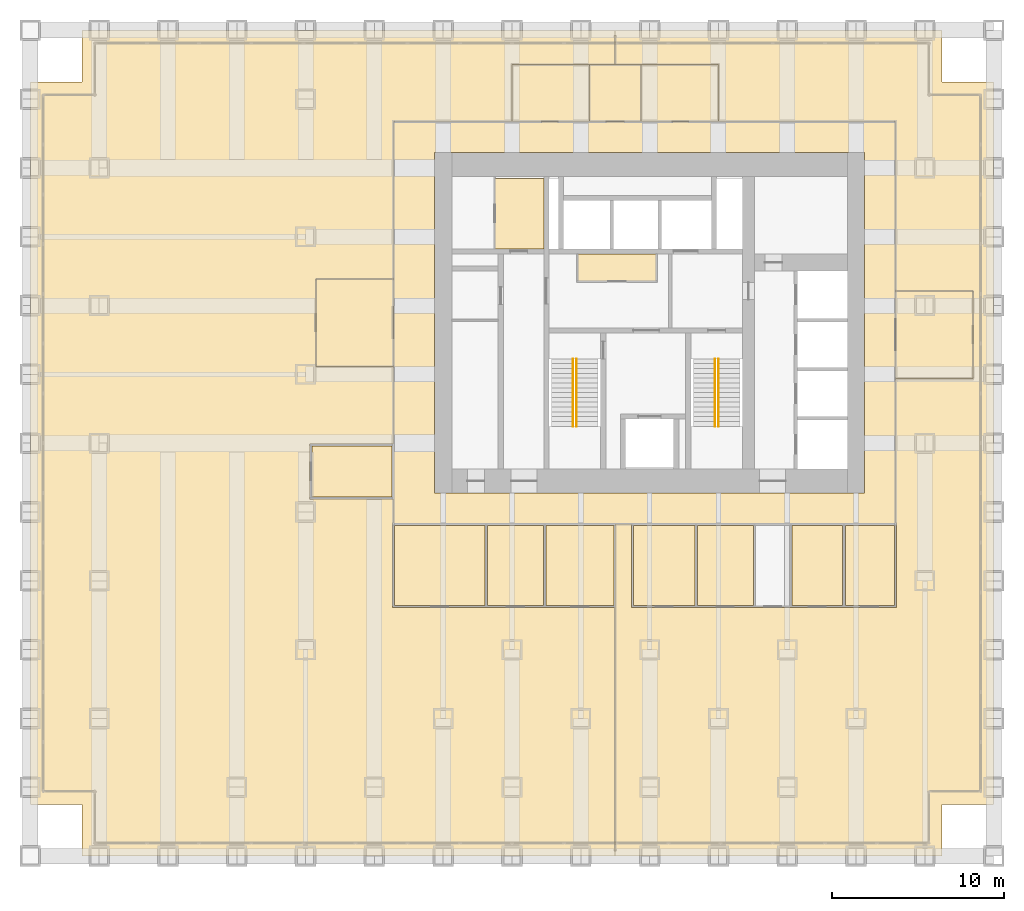
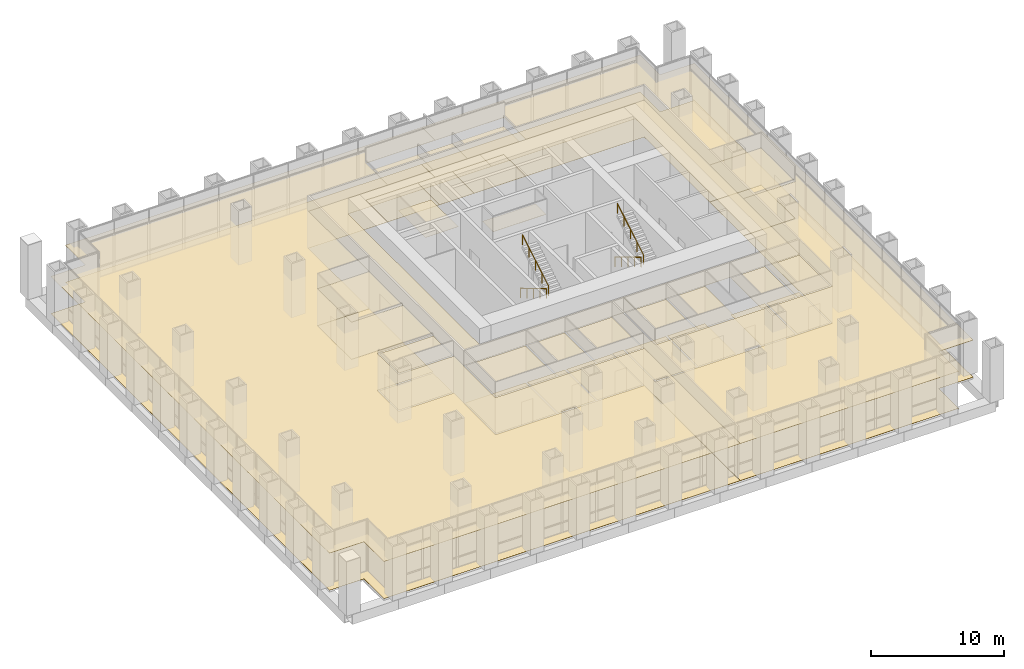
# One storey, part 18 of 18: 34 coverings, 4 railings.
"""IFC4 building model written with IfcOpenShell, lengths in metres."""

from ifc_helpers import new_model, si_unit, direction, frame, origin, origin_2d, place, context, subcontext, project, spatial, polyline, circle, outline, extrude, material, layer, layer_set, type_object, element, save


model = new_model("IFC4")

# Units and contexts
model_context = context("Model", 3, precision=1e-05, world=origin(), true_north=direction((0.0, 1.0)))
body_context = subcontext(model_context, "Body", "Model", "MODEL_VIEW")
ifc_project = project(units=[si_unit("LENGTHUNIT", "METRE"), si_unit("AREAUNIT", "SQUARE_METRE"), si_unit("VOLUMEUNIT", "CUBIC_METRE"), si_unit("PLANEANGLEUNIT", "RADIAN"), si_unit("MASSUNIT", "GRAM", prefix="KILO")], contexts=[model_context])

# Site, building, storey
site_placement = place(None, origin())
site = spatial("IfcSite", under=ifc_project, at=site_placement, CompositionType="ELEMENT")
building_placement = place(site_placement, origin())
building = spatial("IfcBuilding", under=site, at=building_placement, Name="Rimbunsela Tower", CompositionType="ELEMENT")
storey_placement = place(building_placement, frame((0.0, 0.0, 6.0)))
storey = spatial("IfcBuildingStorey", under=building, at=storey_placement, Name="L01", CompositionType="ELEMENT", Elevation=6.0)

# Coverings
ifc_material_1 = material(Name="Nylon carpet tile", Category="textile")
ifc_layer_1 = layer(ifc_material_1, 0.010009765625)
ifc_layer_set_1 = layer_set([ifc_layer_1], Name="Carpet tile 10")
covering_type_1 = type_object("IfcCoveringType", Name="Carpet tile 10", PredefinedType="FLOORING", material=ifc_layer_set_1)
covering_1_placement = place(storey_placement, origin())
element("IfcCovering", 1, at=covering_1_placement, inside=storey, type_object=covering_type_1, Name="Floor finish Business centre", PredefinedType="FLOORING", context=body_context, shape_type="SweptSolid", body=[
    extrude(outline(polyline([(20.550048828125, 10.449951171875), (23.85009765625, 10.449951171875), (23.949951171875, 10.449951171875), (27.9990234375, 10.449951171875), (27.9990234375, -4.0), (15.10009765625, -4.0), (-3.0, -4.0), (-3.0, -1.0), (-6.0, -1.0), (-6.0, 41.0), (-3.0, 41.0), (-3.0, 44.0), (15.10009765625, 44.0), (27.9990234375, 44.0), (27.9990234375, 42.0), (22.0, 42.0), (22.0, 38.699951171875), (15.10009765625, 38.699951171875), (15.10009765625, 29.550048828125), (10.60009765625, 29.550048828125), (10.60009765625, 24.449951171875), (15.10009765625, 24.449951171875), (15.10009765625, 19.949951171875), (10.25, 19.949951171875), (10.25, 16.75), (15.10009765625, 16.75), (15.10009765625, 15.35009765625), (15.050048828125, 15.35009765625), (15.050048828125, 10.449951171875), (15.10009765625, 10.449951171875), (20.449951171875, 10.449951171875), (20.550048828125, 10.449951171875)])), origin(), (0.0, 0.0, 1.0), 0.010009765625),
])
covering_2_placement = place(storey_placement, origin())
element("IfcCovering", 2, at=covering_2_placement, inside=storey, type_object=covering_type_1, Name="Floor finish Open office", PredefinedType="FLOORING", context=body_context, shape_type="SweptSolid", body=[
    extrude(outline(polyline([(28.0009765625, 15.300048828125), (28.948974609375, 15.300048828125), (28.948974609375, 10.449951171875), (32.64892578125, 10.449951171875), (32.7490234375, 10.449951171875), (36.049072265625, 10.449951171875), (36.14892578125, 10.449951171875), (38.14892578125, 10.449951171875), (38.2490234375, 10.449951171875), (41.2490234375, 10.449951171875), (41.34912109375, 10.449951171875), (44.300048828125, 10.449951171875), (44.35009765625, 10.449951171875), (44.35009765625, 15.35009765625), (44.300048828125, 15.35009765625), (44.300048828125, 23.75), (48.800048828125, 23.75), (48.800048828125, 28.85009765625), (44.300048828125, 28.85009765625), (44.300048828125, 38.699951171875), (34.0, 38.699951171875), (34.0, 42.0), (28.0009765625, 42.0), (28.0009765625, 44.0), (44.300048828125, 44.0), (47.0, 44.0), (47.0, 41.0), (50.0, 41.0), (50.0, -1.0), (47.0, -1.0), (47.0, -4.0), (44.300048828125, -4.0), (28.0009765625, -4.0), (28.0009765625, 15.300048828125)])), origin(), (0.0, 0.0, 1.0), 0.010009765625),
])
covering_3_placement = place(storey_placement, origin())
element("IfcCovering", 3, at=covering_3_placement, inside=storey, type_object=covering_type_1, Name="Floor finish Reception", PredefinedType="FLOORING", context=body_context, shape_type="SweptSolid", body=[
    extrude(outline(polyline([(15.10009765625, 24.449951171875), (15.10009765625, 29.550048828125), (10.60009765625, 29.550048828125), (10.60009765625, 24.449951171875), (15.10009765625, 24.449951171875)])), origin(), (0.0, 0.0, 1.0), 0.010009765625),
])
covering_4_placement = place(storey_placement, origin())
element("IfcCovering", 4, at=covering_4_placement, inside=storey, type_object=covering_type_1, Name="Floor finish Reception", PredefinedType="FLOORING", context=body_context, shape_type="SweptSolid", body=[
    extrude(outline(polyline([(48.800048828125, 23.75), (48.800048828125, 28.85009765625), (44.300048828125, 28.85009765625), (44.300048828125, 23.75), (48.800048828125, 23.75)])), origin(), (0.0, 0.0, 1.0), 0.010009765625),
])
covering_5_placement = place(storey_placement, origin())
element("IfcCovering", 5, at=covering_5_placement, inside=storey, type_object=covering_type_1, Name="Floor finish Meeting room", PredefinedType="FLOORING", context=body_context, shape_type="SweptSolid", body=[
    extrude(outline(polyline([(20.425048828125, 10.574951171875), (20.425048828125, 15.22509765625), (15.175048828125, 15.22509765625), (15.175048828125, 10.574951171875), (20.425048828125, 10.574951171875)])), origin(), (0.0, 0.0, 1.0), 0.010009765625),
])
covering_6_placement = place(storey_placement, origin())
element("IfcCovering", 6, at=covering_6_placement, inside=storey, type_object=covering_type_1, Name="Floor finish Pantry", PredefinedType="FLOORING", context=body_context, shape_type="SweptSolid", body=[
    extrude(outline(polyline([(23.824951171875, 10.574951171875), (23.824951171875, 15.22509765625), (20.574951171875, 15.22509765625), (20.574951171875, 10.574951171875), (23.824951171875, 10.574951171875)])), origin(), (0.0, 0.0, 1.0), 0.010009765625),
])
covering_7_placement = place(storey_placement, origin())
element("IfcCovering", 7, at=covering_7_placement, inside=storey, type_object=covering_type_1, Name="Floor finish Print and copy room", PredefinedType="FLOORING", context=body_context, shape_type="SweptSolid", body=[
    extrude(outline(polyline([(27.924072265625, 10.574951171875), (27.924072265625, 15.22509765625), (23.97509765625, 15.22509765625), (23.97509765625, 10.574951171875), (27.924072265625, 10.574951171875)])), origin(), (0.0, 0.0, 1.0), 0.010009765625),
])
covering_8_placement = place(storey_placement, origin())
element("IfcCovering", 8, at=covering_8_placement, inside=storey, type_object=covering_type_1, Name="Floor finish Meeting room", PredefinedType="FLOORING", context=body_context, shape_type="SweptSolid", body=[
    extrude(outline(polyline([(32.6240234375, 10.574951171875), (32.6240234375, 15.22509765625), (29.073974609375, 15.22509765625), (29.073974609375, 10.574951171875), (32.6240234375, 10.574951171875)])), origin(), (0.0, 0.0, 1.0), 0.010009765625),
])
covering_9_placement = place(storey_placement, origin())
element("IfcCovering", 9, at=covering_9_placement, inside=storey, type_object=covering_type_1, Name="Floor finish Pantry", PredefinedType="FLOORING", context=body_context, shape_type="SweptSolid", body=[
    extrude(outline(polyline([(36.02392578125, 10.574951171875), (36.02392578125, 15.22509765625), (32.77392578125, 15.22509765625), (32.77392578125, 10.574951171875), (36.02392578125, 10.574951171875)])), origin(), (0.0, 0.0, 1.0), 0.010009765625),
])
covering_10_placement = place(storey_placement, origin())
element("IfcCovering", 10, at=covering_10_placement, inside=storey, type_object=covering_type_1, Name="Floor finish Office", PredefinedType="FLOORING", context=body_context, shape_type="SweptSolid", body=[
    extrude(outline(polyline([(41.22412109375, 10.574951171875), (41.22412109375, 15.22509765625), (38.27392578125, 15.22509765625), (38.27392578125, 10.574951171875), (41.22412109375, 10.574951171875)])), origin(), (0.0, 0.0, 1.0), 0.010009765625),
])
covering_11_placement = place(storey_placement, origin())
element("IfcCovering", 11, at=covering_11_placement, inside=storey, type_object=covering_type_1, Name="Floor finish Quiet room", PredefinedType="FLOORING", context=body_context, shape_type="SweptSolid", body=[
    extrude(outline(polyline([(44.22509765625, 10.574951171875), (44.22509765625, 15.22509765625), (41.3740234375, 15.22509765625), (41.3740234375, 10.574951171875), (44.22509765625, 10.574951171875)])), origin(), (0.0, 0.0, 1.0), 0.010009765625),
])
covering_12_placement = place(storey_placement, origin())
element("IfcCovering", 12, at=covering_12_placement, inside=storey, type_object=covering_type_1, Name="Floor finish Office", PredefinedType="FLOORING", context=body_context, shape_type="SweptSolid", body=[
    extrude(outline(polyline([(15.02490234375, 16.875), (15.02490234375, 19.824951171875), (10.375, 19.824951171875), (10.375, 16.875), (15.02490234375, 16.875)])), origin(), (0.0, 0.0, 1.0), 0.010009765625),
])
ifc_material_2 = material(Name="Mineral fibre ceiling tile", Category="gypsum")
ifc_layer_2 = layer(ifc_material_2, 0.02001953125)
ifc_layer_set_2 = layer_set([ifc_layer_2], Name="Ceiling 600 grid")
covering_type_2 = type_object("IfcCoveringType", Name="Ceiling 600 grid", PredefinedType="CEILING", material=ifc_layer_set_2)
covering_13_placement = place(storey_placement, frame((0.0, 0.0, 3.39990234375)))
element("IfcCovering", 13, at=covering_13_placement, inside=storey, type_object=covering_type_2, Name="Ceiling Staff pantry", PredefinedType="CEILING", context=body_context, shape_type="SweptSolid", body=[
    extrude(outline(polyline([(30.39990234375, 29.39990234375), (30.39990234375, 31.0), (25.800048828125, 31.0), (25.800048828125, 29.39990234375), (30.39990234375, 29.39990234375)])), origin(), (0.0, 0.0, 1.0), 0.02001953125),
])
covering_14_placement = place(storey_placement, frame((0.0, 0.0, 3.39990234375)))
element("IfcCovering", 14, at=covering_14_placement, inside=storey, type_object=covering_type_2, Name="Ceiling IT room", PredefinedType="CEILING", context=body_context, shape_type="SweptSolid", body=[
    extrude(outline(polyline([(23.85009765625, 31.300048828125), (23.85009765625, 35.39990234375), (21.0, 35.39990234375), (21.0, 31.300048828125), (23.85009765625, 31.300048828125)])), origin(), (0.0, 0.0, 1.0), 0.02001953125),
])
covering_15_placement = place(storey_placement, frame((0.0, 0.0, 3.39990234375)))
element("IfcCovering", 15, at=covering_15_placement, inside=storey, type_object=covering_type_2, Name="Ceiling Ring corridor", PredefinedType="CEILING", context=body_context, shape_type="SweptSolid", body=[
    extrude(outline(polyline([(15.10009765625, 38.699951171875), (30.0, 38.699951171875), (30.0, 36.89990234375), (17.5, 36.89990234375), (17.5, 17.10009765625), (30.0, 17.10009765625), (30.0, 15.300048828125), (15.10009765625, 15.300048828125), (15.10009765625, 38.699951171875)])), origin(), (0.0, 0.0, 1.0), 0.02001953125),
])
covering_16_placement = place(storey_placement, frame((0.0, 0.0, 3.39990234375)))
element("IfcCovering", 16, at=covering_16_placement, inside=storey, type_object=covering_type_2, Name="Ceiling Ring corridor", PredefinedType="CEILING", context=body_context, shape_type="SweptSolid", body=[
    extrude(outline(polyline([(44.300048828125, 38.699951171875), (44.300048828125, 15.300048828125), (30.0, 15.300048828125), (30.0, 17.10009765625), (42.5, 17.10009765625), (42.5, 36.89990234375), (30.0, 36.89990234375), (30.0, 38.699951171875), (44.300048828125, 38.699951171875)])), origin(), (0.0, 0.0, 1.0), 0.02001953125),
])
covering_17_placement = place(storey_placement, frame((0.0, 0.0, 3.39990234375)))
element("IfcCovering", 17, at=covering_17_placement, inside=storey, type_object=covering_type_2, Name="Ceiling Business centre", PredefinedType="CEILING", context=body_context, shape_type="SweptSolid", body=[
    extrude(outline(polyline([(20.550048828125, 10.449951171875), (23.85009765625, 10.449951171875), (23.949951171875, 10.449951171875), (27.9990234375, 10.449951171875), (27.9990234375, -4.0), (15.10009765625, -4.0), (-3.0, -4.0), (-3.0, -1.0), (-6.0, -1.0), (-6.0, 41.0), (-3.0, 41.0), (-3.0, 44.0), (15.10009765625, 44.0), (27.9990234375, 44.0), (27.9990234375, 42.0), (22.0, 42.0), (22.0, 38.699951171875), (15.10009765625, 38.699951171875), (15.10009765625, 29.550048828125), (10.60009765625, 29.550048828125), (10.60009765625, 24.449951171875), (15.10009765625, 24.449951171875), (15.10009765625, 19.949951171875), (10.25, 19.949951171875), (10.25, 16.75), (15.10009765625, 16.75), (15.10009765625, 15.35009765625), (15.050048828125, 15.35009765625), (15.050048828125, 10.449951171875), (15.10009765625, 10.449951171875), (20.449951171875, 10.449951171875), (20.550048828125, 10.449951171875)])), origin(), (0.0, 0.0, 1.0), 0.02001953125),
])
covering_18_placement = place(storey_placement, frame((0.0, 0.0, 3.39990234375)))
element("IfcCovering", 18, at=covering_18_placement, inside=storey, type_object=covering_type_2, Name="Ceiling Open office", PredefinedType="CEILING", context=body_context, shape_type="SweptSolid", body=[
    extrude(outline(polyline([(28.0009765625, 15.300048828125), (28.948974609375, 15.300048828125), (28.948974609375, 10.449951171875), (32.64892578125, 10.449951171875), (32.7490234375, 10.449951171875), (36.049072265625, 10.449951171875), (36.14892578125, 10.449951171875), (38.14892578125, 10.449951171875), (38.2490234375, 10.449951171875), (41.2490234375, 10.449951171875), (41.34912109375, 10.449951171875), (44.300048828125, 10.449951171875), (44.35009765625, 10.449951171875), (44.35009765625, 15.35009765625), (44.300048828125, 15.35009765625), (44.300048828125, 23.75), (48.800048828125, 23.75), (48.800048828125, 28.85009765625), (44.300048828125, 28.85009765625), (44.300048828125, 38.699951171875), (34.0, 38.699951171875), (34.0, 42.0), (28.0009765625, 42.0), (28.0009765625, 44.0), (44.300048828125, 44.0), (47.0, 44.0), (47.0, 41.0), (50.0, 41.0), (50.0, -1.0), (47.0, -1.0), (47.0, -4.0), (44.300048828125, -4.0), (28.0009765625, -4.0), (28.0009765625, 15.300048828125)])), origin(), (0.0, 0.0, 1.0), 0.02001953125),
])
covering_19_placement = place(storey_placement, frame((0.0, 0.0, 3.39990234375)))
element("IfcCovering", 19, at=covering_19_placement, inside=storey, type_object=covering_type_2, Name="Ceiling Reception", PredefinedType="CEILING", context=body_context, shape_type="SweptSolid", body=[
    extrude(outline(polyline([(15.10009765625, 24.449951171875), (15.10009765625, 29.550048828125), (10.60009765625, 29.550048828125), (10.60009765625, 24.449951171875), (15.10009765625, 24.449951171875)])), origin(), (0.0, 0.0, 1.0), 0.02001953125),
])
covering_20_placement = place(storey_placement, frame((0.0, 0.0, 3.39990234375)))
element("IfcCovering", 20, at=covering_20_placement, inside=storey, type_object=covering_type_2, Name="Ceiling Reception", PredefinedType="CEILING", context=body_context, shape_type="SweptSolid", body=[
    extrude(outline(polyline([(48.800048828125, 23.75), (48.800048828125, 28.85009765625), (44.300048828125, 28.85009765625), (44.300048828125, 23.75), (48.800048828125, 23.75)])), origin(), (0.0, 0.0, 1.0), 0.02001953125),
])
covering_21_placement = place(storey_placement, frame((0.0, 0.0, 3.39990234375)))
element("IfcCovering", 21, at=covering_21_placement, inside=storey, type_object=covering_type_2, Name="Ceiling Meeting room", PredefinedType="CEILING", context=body_context, shape_type="SweptSolid", body=[
    extrude(outline(polyline([(20.425048828125, 10.574951171875), (20.425048828125, 15.22509765625), (15.175048828125, 15.22509765625), (15.175048828125, 10.574951171875), (20.425048828125, 10.574951171875)])), origin(), (0.0, 0.0, 1.0), 0.02001953125),
])
covering_22_placement = place(storey_placement, frame((0.0, 0.0, 3.39990234375)))
element("IfcCovering", 22, at=covering_22_placement, inside=storey, type_object=covering_type_2, Name="Ceiling Pantry", PredefinedType="CEILING", context=body_context, shape_type="SweptSolid", body=[
    extrude(outline(polyline([(23.824951171875, 10.574951171875), (23.824951171875, 15.22509765625), (20.574951171875, 15.22509765625), (20.574951171875, 10.574951171875), (23.824951171875, 10.574951171875)])), origin(), (0.0, 0.0, 1.0), 0.02001953125),
])
covering_23_placement = place(storey_placement, frame((0.0, 0.0, 3.39990234375)))
element("IfcCovering", 23, at=covering_23_placement, inside=storey, type_object=covering_type_2, Name="Ceiling Print and copy room", PredefinedType="CEILING", context=body_context, shape_type="SweptSolid", body=[
    extrude(outline(polyline([(27.924072265625, 10.574951171875), (27.924072265625, 15.22509765625), (23.97509765625, 15.22509765625), (23.97509765625, 10.574951171875), (27.924072265625, 10.574951171875)])), origin(), (0.0, 0.0, 1.0), 0.02001953125),
])
covering_24_placement = place(storey_placement, frame((0.0, 0.0, 3.39990234375)))
element("IfcCovering", 24, at=covering_24_placement, inside=storey, type_object=covering_type_2, Name="Ceiling Meeting room", PredefinedType="CEILING", context=body_context, shape_type="SweptSolid", body=[
    extrude(outline(polyline([(32.6240234375, 10.574951171875), (32.6240234375, 15.22509765625), (29.073974609375, 15.22509765625), (29.073974609375, 10.574951171875), (32.6240234375, 10.574951171875)])), origin(), (0.0, 0.0, 1.0), 0.02001953125),
])
covering_25_placement = place(storey_placement, frame((0.0, 0.0, 3.39990234375)))
element("IfcCovering", 25, at=covering_25_placement, inside=storey, type_object=covering_type_2, Name="Ceiling Pantry", PredefinedType="CEILING", context=body_context, shape_type="SweptSolid", body=[
    extrude(outline(polyline([(36.02392578125, 10.574951171875), (36.02392578125, 15.22509765625), (32.77392578125, 15.22509765625), (32.77392578125, 10.574951171875), (36.02392578125, 10.574951171875)])), origin(), (0.0, 0.0, 1.0), 0.02001953125),
])
covering_26_placement = place(storey_placement, frame((0.0, 0.0, 3.39990234375)))
element("IfcCovering", 26, at=covering_26_placement, inside=storey, type_object=covering_type_2, Name="Ceiling Office", PredefinedType="CEILING", context=body_context, shape_type="SweptSolid", body=[
    extrude(outline(polyline([(41.22412109375, 10.574951171875), (41.22412109375, 15.22509765625), (38.27392578125, 15.22509765625), (38.27392578125, 10.574951171875), (41.22412109375, 10.574951171875)])), origin(), (0.0, 0.0, 1.0), 0.02001953125),
])
covering_27_placement = place(storey_placement, frame((0.0, 0.0, 3.39990234375)))
element("IfcCovering", 27, at=covering_27_placement, inside=storey, type_object=covering_type_2, Name="Ceiling Quiet room", PredefinedType="CEILING", context=body_context, shape_type="SweptSolid", body=[
    extrude(outline(polyline([(44.22509765625, 10.574951171875), (44.22509765625, 15.22509765625), (41.3740234375, 15.22509765625), (41.3740234375, 10.574951171875), (44.22509765625, 10.574951171875)])), origin(), (0.0, 0.0, 1.0), 0.02001953125),
])
covering_28_placement = place(storey_placement, frame((0.0, 0.0, 3.39990234375)))
element("IfcCovering", 28, at=covering_28_placement, inside=storey, type_object=covering_type_2, Name="Ceiling Office", PredefinedType="CEILING", context=body_context, shape_type="SweptSolid", body=[
    extrude(outline(polyline([(15.02490234375, 16.875), (15.02490234375, 19.824951171875), (10.375, 19.824951171875), (10.375, 16.875), (15.02490234375, 16.875)])), origin(), (0.0, 0.0, 1.0), 0.02001953125),
])
ifc_material_3 = material(Name="Moisture-resistant plasterboard ceiling", Category="gypsum")
ifc_layer_3 = layer(ifc_material_3, 0.012451171875)
ifc_layer_set_3 = layer_set([ifc_layer_3], Name="Ceiling moisture-resistant board")
covering_type_3 = type_object("IfcCoveringType", Name="Ceiling moisture-resistant board", PredefinedType="CEILING", material=ifc_layer_set_3)
covering_29_placement = place(storey_placement, frame((0.0, 0.0, 2.60009765625)))
element("IfcCovering", 29, at=covering_29_placement, inside=storey, type_object=covering_type_3, Name="Ceiling Female WC", PredefinedType="CEILING", context=body_context, shape_type="SweptSolid", body=[
    extrude(outline(polyline([(26.5, 38.699951171875), (26.5, 42.0), (22.0, 42.0), (22.0, 38.699951171875), (26.5, 38.699951171875)])), origin(), (0.0, 0.0, 1.0), 0.02001953125),
])
covering_30_placement = place(storey_placement, frame((0.0, 0.0, 2.60009765625)))
element("IfcCovering", 30, at=covering_30_placement, inside=storey, type_object=covering_type_3, Name="Ceiling Accessible WC", PredefinedType="CEILING", context=body_context, shape_type="SweptSolid", body=[
    extrude(outline(polyline([(29.5, 38.699951171875), (29.5, 42.0), (26.5, 42.0), (26.5, 38.699951171875), (29.5, 38.699951171875)])), origin(), (0.0, 0.0, 1.0), 0.02001953125),
])
covering_31_placement = place(storey_placement, frame((0.0, 0.0, 2.60009765625)))
element("IfcCovering", 31, at=covering_31_placement, inside=storey, type_object=covering_type_3, Name="Ceiling Male WC", PredefinedType="CEILING", context=body_context, shape_type="SweptSolid", body=[
    extrude(outline(polyline([(34.0, 38.699951171875), (34.0, 42.0), (29.5, 42.0), (29.5, 38.699951171875), (34.0, 38.699951171875)])), origin(), (0.0, 0.0, 1.0), 0.02001953125),
])
ifc_material_4 = material(Name="Porcelain floor tile in adhesive bed", Category="ceramic")
ifc_layer_4 = layer(ifc_material_4, 0.02001953125)
ifc_layer_set_4 = layer_set([ifc_layer_4], Name="Porcelain tile 20")
covering_type_4 = type_object("IfcCoveringType", Name="Porcelain tile 20", PredefinedType="FLOORING", material=ifc_layer_set_4)
covering_32_placement = place(storey_placement, origin())
element("IfcCovering", 32, at=covering_32_placement, inside=storey, type_object=covering_type_4, Name="Floor finish Female WC", PredefinedType="FLOORING", context=body_context, shape_type="SweptSolid", body=[
    extrude(outline(polyline([(26.5, 38.699951171875), (26.5, 42.0), (22.0, 42.0), (22.0, 38.699951171875), (26.5, 38.699951171875)])), origin(), (0.0, 0.0, 1.0), 0.02001953125),
])
covering_33_placement = place(storey_placement, origin())
element("IfcCovering", 33, at=covering_33_placement, inside=storey, type_object=covering_type_4, Name="Floor finish Accessible WC", PredefinedType="FLOORING", context=body_context, shape_type="SweptSolid", body=[
    extrude(outline(polyline([(29.5, 38.699951171875), (29.5, 42.0), (26.5, 42.0), (26.5, 38.699951171875), (29.5, 38.699951171875)])), origin(), (0.0, 0.0, 1.0), 0.02001953125),
])
covering_34_placement = place(storey_placement, origin())
element("IfcCovering", 34, at=covering_34_placement, inside=storey, type_object=covering_type_4, Name="Floor finish Male WC", PredefinedType="FLOORING", context=body_context, shape_type="SweptSolid", body=[
    extrude(outline(polyline([(34.0, 38.699951171875), (34.0, 42.0), (29.5, 42.0), (29.5, 38.699951171875), (34.0, 38.699951171875)])), origin(), (0.0, 0.0, 1.0), 0.02001953125),
])

# Railings
ifc_material_5 = material(Name="Stainless steel tube", Category="steel")
railing_type = type_object("IfcRailingType", Name="Stair handrail 900", PredefinedType="HANDRAIL", material=ifc_material_5)
railing_1_placement = place(storey_placement, frame((25.550048828125, 24.89990234375, 0.166748046875)))
element("IfcRailing", 35, at=railing_1_placement, inside=storey, type_object=railing_type, Name="Handrail ST-A flight 1", PredefinedType="HANDRAIL", context=body_context, shape_type="SweptSolid", body=[
    extrude(circle(Radius=0.02392578125, at=origin_2d()), frame((0.0, 0.0, 0.8759765625), z_axis=(0.0, -0.859296244711, 0.511478214419), x_axis=(1.0, 0.0, 0.0)), (0.0, 0.0, 1.0), 4.561767578125),
    extrude(circle(Radius=0.02099609375, at=origin_2d()), origin(), (0.0, 0.0, 1.0), 0.851806640625),
    extrude(circle(Radius=0.02099609375, at=origin_2d()), frame((0.0, -0.97998046875, 0.583251953125)), (0.0, 0.0, 1.0), 0.851806640625),
    extrude(circle(Radius=0.02099609375, at=origin_2d()), frame((0.0, -1.9599609375, 1.16650390625)), (0.0, 0.0, 1.0), 0.851806640625),
    extrude(circle(Radius=0.02099609375, at=origin_2d()), frame((0.0, -2.93994140625, 1.75)), (0.0, 0.0, 1.0), 0.851806640625),
    extrude(circle(Radius=0.02099609375, at=origin_2d()), frame((0.0, -3.919921875, 2.333251953125)), (0.0, 0.0, 1.0), 0.851806640625),
])
railing_2_placement = place(storey_placement, frame((25.75, 20.97998046875, 2.666748046875)))
element("IfcRailing", 36, at=railing_2_placement, inside=storey, type_object=railing_type, Name="Handrail ST-A flight 2", PredefinedType="HANDRAIL", context=body_context, shape_type="SweptSolid", body=[
    extrude(circle(Radius=0.02392578125, at=origin_2d()), frame((0.0, 0.0, 0.8759765625), z_axis=(0.0, 0.859296244711, 0.511478214419), x_axis=(-1.0, 0.0, 0.0)), (0.0, 0.0, 1.0), 4.561767578125),
    extrude(circle(Radius=0.02099609375, at=origin_2d()), origin(), (0.0, 0.0, 1.0), 0.851806640625),
    extrude(circle(Radius=0.02099609375, at=origin_2d()), frame((0.0, 0.97998046875, 0.583251953125)), (0.0, 0.0, 1.0), 0.851806640625),
    extrude(circle(Radius=0.02099609375, at=origin_2d()), frame((0.0, 1.9599609375, 1.16650390625)), (0.0, 0.0, 1.0), 0.851806640625),
    extrude(circle(Radius=0.02099609375, at=origin_2d()), frame((0.0, 2.93994140625, 1.75)), (0.0, 0.0, 1.0), 0.851806640625),
    extrude(circle(Radius=0.02099609375, at=origin_2d()), frame((0.0, 3.919921875, 2.333251953125)), (0.0, 0.0, 1.0), 0.851806640625),
])
railing_3_placement = place(storey_placement, frame((33.800048828125, 24.89990234375, 0.166748046875)))
element("IfcRailing", 37, at=railing_3_placement, inside=storey, type_object=railing_type, Name="Handrail ST-B flight 1", PredefinedType="HANDRAIL", context=body_context, shape_type="SweptSolid", body=[
    extrude(circle(Radius=0.02392578125, at=origin_2d()), frame((0.0, 0.0, 0.8759765625), z_axis=(0.0, -0.859296244711, 0.511478214419), x_axis=(1.0, 0.0, 0.0)), (0.0, 0.0, 1.0), 4.561767578125),
    extrude(circle(Radius=0.02099609375, at=origin_2d()), origin(), (0.0, 0.0, 1.0), 0.851806640625),
    extrude(circle(Radius=0.02099609375, at=origin_2d()), frame((0.0, -0.97998046875, 0.583251953125)), (0.0, 0.0, 1.0), 0.851806640625),
    extrude(circle(Radius=0.02099609375, at=origin_2d()), frame((0.0, -1.9599609375, 1.16650390625)), (0.0, 0.0, 1.0), 0.851806640625),
    extrude(circle(Radius=0.02099609375, at=origin_2d()), frame((0.0, -2.93994140625, 1.75)), (0.0, 0.0, 1.0), 0.851806640625),
    extrude(circle(Radius=0.02099609375, at=origin_2d()), frame((0.0, -3.919921875, 2.333251953125)), (0.0, 0.0, 1.0), 0.851806640625),
])
railing_4_placement = place(storey_placement, frame((34.0, 20.97998046875, 2.666748046875)))
element("IfcRailing", 38, at=railing_4_placement, inside=storey, type_object=railing_type, Name="Handrail ST-B flight 2", PredefinedType="HANDRAIL", context=body_context, shape_type="SweptSolid", body=[
    extrude(circle(Radius=0.02392578125, at=origin_2d()), frame((0.0, 0.0, 0.8759765625), z_axis=(0.0, 0.859296244711, 0.511478214419), x_axis=(-1.0, 0.0, 0.0)), (0.0, 0.0, 1.0), 4.561767578125),
    extrude(circle(Radius=0.02099609375, at=origin_2d()), origin(), (0.0, 0.0, 1.0), 0.851806640625),
    extrude(circle(Radius=0.02099609375, at=origin_2d()), frame((0.0, 0.97998046875, 0.583251953125)), (0.0, 0.0, 1.0), 0.851806640625),
    extrude(circle(Radius=0.02099609375, at=origin_2d()), frame((0.0, 1.9599609375, 1.16650390625)), (0.0, 0.0, 1.0), 0.851806640625),
    extrude(circle(Radius=0.02099609375, at=origin_2d()), frame((0.0, 2.93994140625, 1.75)), (0.0, 0.0, 1.0), 0.851806640625),
    extrude(circle(Radius=0.02099609375, at=origin_2d()), frame((0.0, 3.919921875, 2.333251953125)), (0.0, 0.0, 1.0), 0.851806640625),
])

save(model, "model.ifc")
